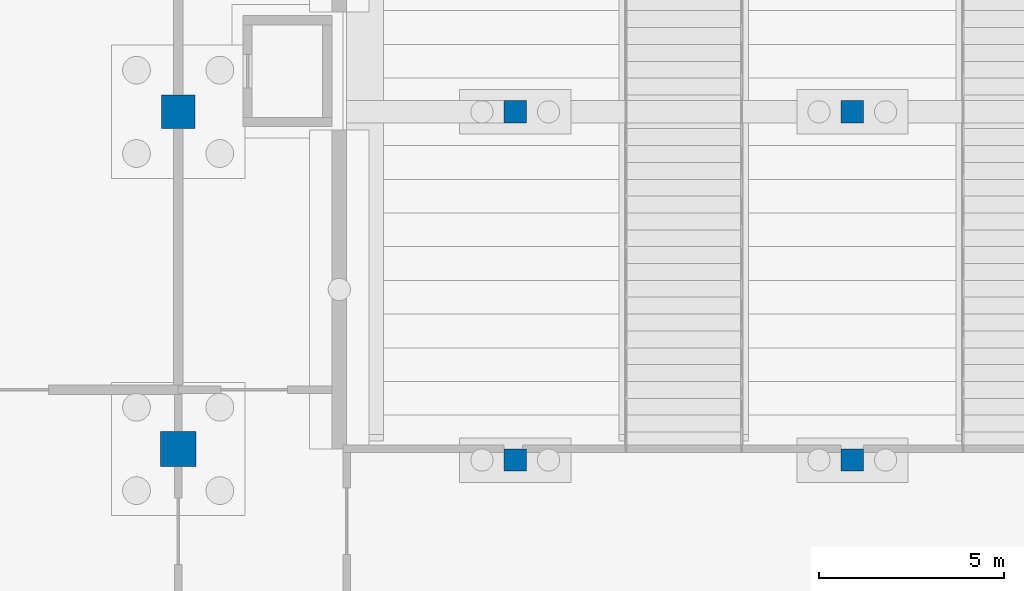
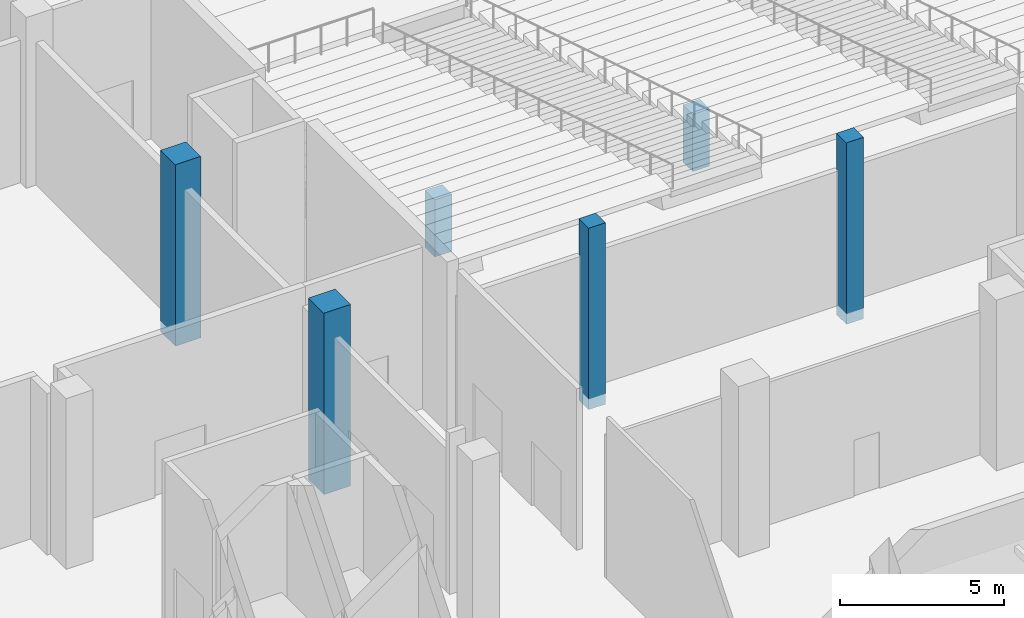
# One storey, part 12 of 129: 6 columns.
"""IFC4 building model written with IfcOpenShell, lengths in metres."""

from ifc_helpers import new_model, si_unit, direction, frame, origin, origin_2d, place, context, subcontext, project, spatial, rectangle, extrude, material, material_profile, profile_set, type_object, element, save


model = new_model("IFC4")

# Units and contexts
model_context = context("Model", 3, precision=1e-05, world=origin(), true_north=direction((0.0, 1.0)))
body_context = subcontext(model_context, "Body", "Model", "MODEL_VIEW")
ifc_project = project(units=[si_unit("LENGTHUNIT", "METRE"), si_unit("AREAUNIT", "SQUARE_METRE"), si_unit("VOLUMEUNIT", "CUBIC_METRE"), si_unit("PLANEANGLEUNIT", "RADIAN"), si_unit("MASSUNIT", "GRAM", prefix="KILO")], contexts=[model_context])

# Site, building, storey
site_placement = place(None, origin())
site = spatial("IfcSite", under=ifc_project, at=site_placement, CompositionType="ELEMENT")
building_placement = place(site_placement, origin())
building = spatial("IfcBuilding", under=site, at=building_placement, Name="Shirokan Park Arena", CompositionType="ELEMENT")
storey_placement = place(building_placement, origin())
storey = spatial("IfcBuildingStorey", under=building, at=storey_placement, Name="L00", CompositionType="ELEMENT", Elevation=0.0)

# Columns
ifc_material = material(Name="Concrete C35", Category="concrete")
ifc_material_profile_1 = material_profile(ifc_material, rectangle(XDim=0.60009765625, YDim=0.60009765625, at=origin_2d()), Name="600x600")
ifc_profile_set_1 = profile_set([ifc_material_profile_1], Name="Concrete C35")
column_type_1 = type_object("IfcColumnType", Name="RC column 600x600", PredefinedType="COLUMN", material=ifc_profile_set_1)
column_1_placement = place(storey_placement, frame((45.5, 17.89990234375, -0.39990234375), z_axis=(0.0, 0.0, 1.0), x_axis=(1.0, 0.0, 0.0)))
element("IfcColumn", 1, at=column_1_placement, inside=storey, type_object=column_type_1, Name="Column 6C L00", PredefinedType="COLUMN", context=body_context, shape_type="SweptSolid", body=[
    extrude(rectangle(XDim=0.60009765625, YDim=0.60009765625, at=origin_2d()), origin(), (0.0, 0.0, 1.0), 6.77001953125),
])
column_2_placement = place(storey_placement, frame((45.5, 27.300048828125, -0.39990234375), z_axis=(0.0, 0.0, 1.0), x_axis=(1.0, 0.0, 0.0)))
element("IfcColumn", 2, at=column_2_placement, inside=storey, type_object=column_type_1, Name="Column 6D L00", PredefinedType="COLUMN", context=body_context, shape_type="SweptSolid", body=[
    extrude(rectangle(XDim=0.60009765625, YDim=0.60009765625, at=origin_2d()), origin(), (0.0, 0.0, 1.0), 2.1328125),
])
column_3_placement = place(storey_placement, frame((54.60009765625, 17.89990234375, -0.39990234375), z_axis=(0.0, 0.0, 1.0), x_axis=(1.0, 0.0, 0.0)))
element("IfcColumn", 3, at=column_3_placement, inside=storey, type_object=column_type_1, Name="Column 7C L00", PredefinedType="COLUMN", context=body_context, shape_type="SweptSolid", body=[
    extrude(rectangle(XDim=0.60009765625, YDim=0.60009765625, at=origin_2d()), origin(), (0.0, 0.0, 1.0), 6.77001953125),
])
column_4_placement = place(storey_placement, frame((54.60009765625, 27.300048828125, -0.39990234375), z_axis=(0.0, 0.0, 1.0), x_axis=(1.0, 0.0, 0.0)))
element("IfcColumn", 4, at=column_4_placement, inside=storey, type_object=column_type_1, Name="Column 7D L00", PredefinedType="COLUMN", context=body_context, shape_type="SweptSolid", body=[
    extrude(rectangle(XDim=0.60009765625, YDim=0.60009765625, at=origin_2d()), origin(), (0.0, 0.0, 1.0), 2.1328125),
])
ifc_material_profile_2 = material_profile(ifc_material, rectangle(XDim=0.89990234375, YDim=0.89990234375, at=origin_2d()), Name="900x900")
ifc_profile_set_2 = profile_set([ifc_material_profile_2], Name="Concrete C35")
column_type_2 = type_object("IfcColumnType", Name="RC column 900x900", PredefinedType="COLUMN", material=ifc_profile_set_2)
column_5_placement = place(storey_placement, frame((36.39990234375, 27.300048828125, -0.39990234375), z_axis=(0.0, 0.0, 1.0), x_axis=(1.0, 0.0, 0.0)))
element("IfcColumn", 5, at=column_5_placement, inside=storey, type_object=column_type_2, Name="Column 5D L00", PredefinedType="COLUMN", context=body_context, shape_type="SweptSolid", body=[
    extrude(rectangle(XDim=0.89990234375, YDim=0.89990234375, at=origin_2d()), origin(), (0.0, 0.0, 1.0), 6.77001953125),
])
ifc_material_profile_3 = material_profile(ifc_material, rectangle(XDim=0.949951171875, YDim=0.949951171875, at=origin_2d()), Name="950x950")
ifc_profile_set_3 = profile_set([ifc_material_profile_3], Name="Concrete C35")
column_type_3 = type_object("IfcColumnType", Name="RC column 950x950", PredefinedType="COLUMN", material=ifc_profile_set_3)
column_6_placement = place(storey_placement, frame((36.39990234375, 18.199951171875, -0.39990234375), z_axis=(0.0, 0.0, 1.0), x_axis=(1.0, 0.0, 0.0)))
element("IfcColumn", 6, at=column_6_placement, inside=storey, type_object=column_type_3, Name="Column 5C L00", PredefinedType="COLUMN", context=body_context, shape_type="SweptSolid", body=[
    extrude(rectangle(XDim=0.949951171875, YDim=0.949951171875, at=origin_2d()), origin(), (0.0, 0.0, 1.0), 6.77001953125),
])

save(model, "model.ifc")
